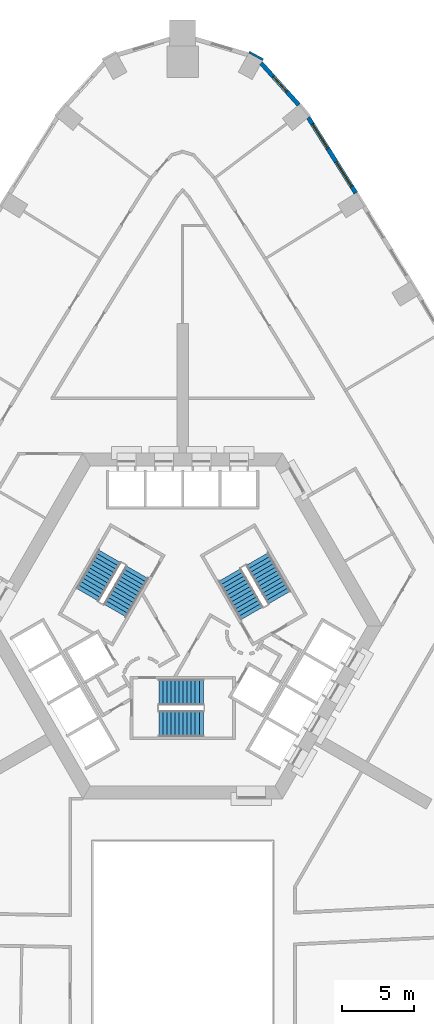
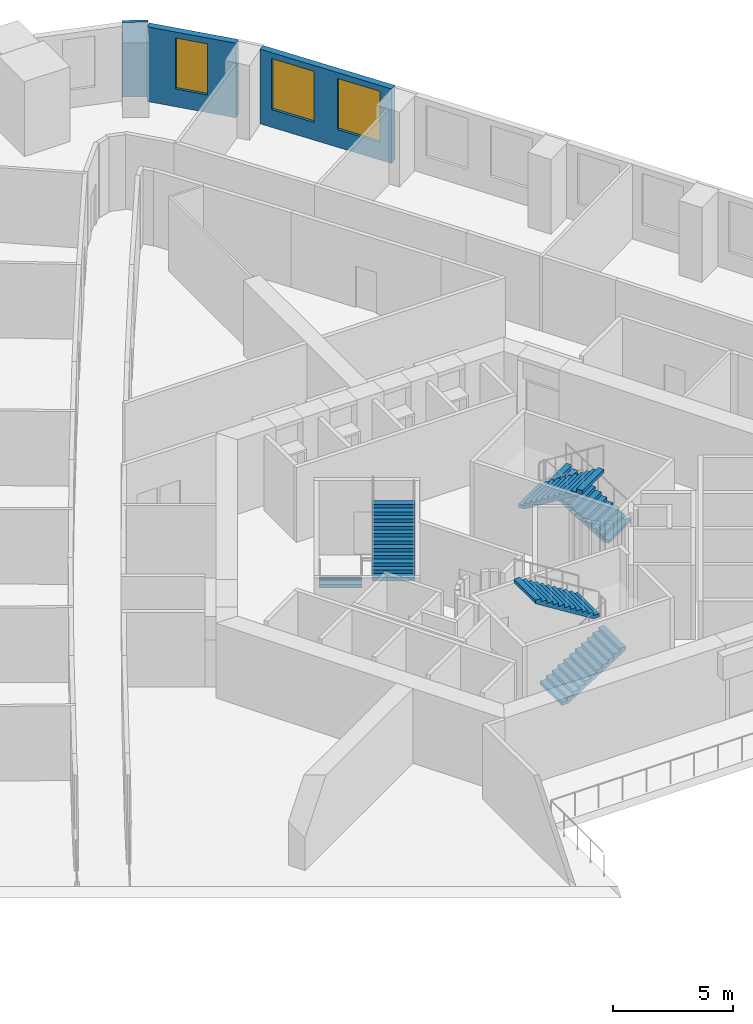
# One storey, part 12 of 14: 6 stair flights, 3 walls, 3 windows, 3 openings, 3 elements without a shape of their own.
"""IFC4 building model written with IfcOpenShell, lengths in metres."""

from ifc_helpers import new_model, si_unit, direction, frame, frame_2d, origin, place, context, subcontext, project, spatial, polyline, rectangle, outline, extrude, material, layer, layer_set, type_object, element, fill, aggregate, save


model = new_model("IFC4")

# Units and contexts
model_context = context("Model", 3, precision=1e-05, world=origin(), true_north=direction((0.0, 1.0)))
body_context = subcontext(model_context, "Body", "Model", "MODEL_VIEW")
ifc_project = project(units=[si_unit("LENGTHUNIT", "METRE"), si_unit("AREAUNIT", "SQUARE_METRE"), si_unit("VOLUMEUNIT", "CUBIC_METRE"), si_unit("PLANEANGLEUNIT", "RADIAN"), si_unit("MASSUNIT", "GRAM", prefix="KILO")], contexts=[model_context])

# Site, building, storey
site_placement = place(None, origin())
site = spatial("IfcSite", under=ifc_project, at=site_placement, CompositionType="ELEMENT")
building_placement = place(site_placement, origin())
building = spatial("IfcBuilding", under=site, at=building_placement, Name="Entoto Arch Interchange Tower", CompositionType="ELEMENT")
storey_placement = place(building_placement, frame((0.0, 0.0, 116.0)))
storey = spatial("IfcBuildingStorey", under=building, at=storey_placement, Name="L25", CompositionType="ELEMENT", Elevation=116.0)

# Wall, openings, windows
ifc_material_1 = material(Name="Welded tuff (ignimbrite) cladding, warm buff", Category="masonry")
ifc_layer_1 = layer(ifc_material_1, 0.300048828125)
ifc_layer_set_1 = layer_set([ifc_layer_1], Name="Welded tuff (ignimbrite) cladding, warm buff")
wall_type_1 = type_object("IfcWallType", Name="STONE INFILL WALL 300", PredefinedType="STANDARD", material=ifc_layer_set_1)
wall_1_placement = place(storey_placement, frame((12.01806640625, 32.534912109375, 0.0), z_axis=(0.0, 0.0, 1.0), x_axis=(-0.532699467907, 0.846304482377, 0.0)))
wall_1 = element("IfcWall", 1, at=wall_1_placement, inside=storey, type_object=wall_type_1, Name="Facade wall NE-08 L25", PredefinedType="STANDARD", context=body_context, shape_type="SweptSolid", body=[
    extrude(rectangle(XDim=6.202392578125, YDim=0.300048828125, at=frame_2d((3.10107421875, 0.0))), origin(), (0.0, 0.0, 1.0), 3.800048828125),
])
opening_1_placement = place(wall_1_placement, frame((0.551025390625, 0.0, 0.89990234375)))
opening_1 = element("IfcOpeningElement", 2, at=opening_1_placement, cuts=wall_1, Name="Opening WO-C", PredefinedType="OPENING", context=body_context, shape_type="SweptSolid", body=[
    extrude(rectangle(XDim=2.0, YDim=2.60009765625, at=frame_2d((1.0, 1.300048828125))), frame((0.0, 0.16015625, 0.0), z_axis=(0.0, -1.0, 0.0), x_axis=(1.0, 0.0, 0.0)), (0.0, 0.0, 1.0), 0.320068359375),
])
opening_2_placement = place(wall_1_placement, frame((3.652099609375, 0.0, 0.89990234375)))
opening_2 = element("IfcOpeningElement", 3, at=opening_2_placement, cuts=wall_1, Name="Opening WO-C", PredefinedType="OPENING", context=body_context, shape_type="SweptSolid", body=[
    extrude(rectangle(XDim=2.0, YDim=2.60009765625, at=frame_2d((1.0, 1.300048828125))), frame((0.0, 0.16015625, 0.0), z_axis=(0.0, -1.0, 0.0), x_axis=(1.0, 0.0, 0.0)), (0.0, 0.0, 1.0), 0.320068359375),
])
ifc_material_2 = material(Name="Clear glass, low-e double glazed", Category="glass")
window_type_1 = type_object("IfcWindowType", Name="WINDOW WO-C 2000x2600", PartitioningType="DOUBLE_PANEL_VERTICAL", PredefinedType="WINDOW", material=ifc_material_2)
window_1_placement = place(opening_1_placement, origin())
window_1 = element("IfcWindow", 4, at=window_1_placement, inside=storey, type_object=window_type_1, Name="Window WO-C NE-08 L25", OverallHeight=2.60009765625, OverallWidth=2.0, PartitioningType="SINGLE_PANEL", PredefinedType="WINDOW", context=body_context, shape_type="SweptSolid", body=[
    extrude(rectangle(XDim=2.0, YDim=2.60009765625, at=frame_2d((1.0, 1.300048828125))), frame((0.0, 0.030029296875, 0.0), z_axis=(0.0, -1.0, 0.0), x_axis=(1.0, 0.0, 0.0)), (0.0, 0.0, 1.0), 0.06005859375),
])
fill(opening_1, window_1)
window_2_placement = place(opening_2_placement, origin())
window_2 = element("IfcWindow", 5, at=window_2_placement, inside=storey, type_object=window_type_1, Name="Window WO-C NE-08 L25", OverallHeight=2.60009765625, OverallWidth=2.0, PartitioningType="SINGLE_PANEL", PredefinedType="WINDOW", context=body_context, shape_type="SweptSolid", body=[
    extrude(rectangle(XDim=2.0, YDim=2.60009765625, at=frame_2d((1.0, 1.300048828125))), frame((0.0, 0.030029296875, 0.0), z_axis=(0.0, -1.0, 0.0), x_axis=(1.0, 0.0, 0.0)), (0.0, 0.0, 1.0), 0.06005859375),
])
fill(opening_2, window_2)

# Wall, opening, window
wall_2_placement = place(storey_placement, frame((8.052001953125, 38.660888671875, 0.0), z_axis=(0.0, 0.0, 1.0), x_axis=(-0.66966434159, 0.742663900834, 0.0)))
wall_2 = element("IfcWall", 6, at=wall_2_placement, inside=storey, type_object=wall_type_1, Name="Facade wall N-01 L25", PredefinedType="STANDARD", context=body_context, shape_type="SweptSolid", body=[
    extrude(rectangle(XDim=3.892822265625, YDim=0.300048828125, at=frame_2d((1.9462890625, 0.0))), origin(), (0.0, 0.0, 1.0), 3.800048828125),
])
opening_3_placement = place(wall_2_placement, frame((1.24609375, 0.0, 0.89990234375)))
opening_3 = element("IfcOpeningElement", 7, at=opening_3_placement, cuts=wall_2, Name="Opening WO-B", PredefinedType="OPENING", context=body_context, shape_type="SweptSolid", body=[
    extrude(rectangle(XDim=1.39990234375, YDim=2.60009765625, at=frame_2d((0.699951171875, 1.300048828125))), frame((0.0, 0.16015625, 0.0), z_axis=(0.0, -1.0, 0.0), x_axis=(1.0, 0.0, 0.0)), (0.0, 0.0, 1.0), 0.320068359375),
])
window_type_2 = type_object("IfcWindowType", Name="WINDOW WO-B 1400x2600", PartitioningType="DOUBLE_PANEL_VERTICAL", PredefinedType="WINDOW", material=ifc_material_2)
window_3_placement = place(opening_3_placement, origin())
window_3 = element("IfcWindow", 8, at=window_3_placement, inside=storey, type_object=window_type_2, Name="Window WO-B N-01 L25", OverallHeight=2.60009765625, OverallWidth=1.39990234375, PartitioningType="SINGLE_PANEL", PredefinedType="WINDOW", context=body_context, shape_type="SweptSolid", body=[
    extrude(rectangle(XDim=1.39990234375, YDim=2.60009765625, at=frame_2d((0.699951171875, 1.300048828125))), frame((0.0, 0.030029296875, 0.0), z_axis=(0.0, -1.0, 0.0), x_axis=(1.0, 0.0, 0.0)), (0.0, 0.0, 1.0), 0.06005859375),
])
fill(opening_3, window_3)

# Wall
ifc_layer_2 = layer(ifc_material_1, 0.14990234375)
ifc_layer_set_2 = layer_set([ifc_layer_2], Name="Welded tuff (ignimbrite) cladding, warm buff")
wall_type_2 = type_object("IfcWallType", Name="STONE PIER CLADDING 150", PredefinedType="STANDARD", material=ifc_layer_set_2)
wall_3_placement = place(storey_placement, frame((5.5791015625, 41.7939453125, 0.0), z_axis=(0.0, 0.0, 1.0), x_axis=(-0.877463015547, 0.479644301902, 0.0)))
element("IfcWall", 9, at=wall_3_placement, inside=storey, type_object=wall_type_2, Name="Stone pier N1 L25", PredefinedType="STANDARD", context=body_context, shape_type="SweptSolid", body=[
    extrude(rectangle(XDim=1.10107421875, YDim=0.14990234375, at=frame_2d((0.550537109375, 0.0))), origin(), (0.0, 0.0, 1.0), 3.800048828125),
])

# Stair, stair flights
ifc_material_3 = material(Name="Concrete C40/50", Category="concrete")
stair_type = type_object("IfcStairType", Name="EXIT STAIR RC 1800", PredefinedType="HALF_TURN_STAIR", material=ifc_material_3)
stair_1_placement = place(storey_placement, origin())
stair_1 = element("IfcStair", 10, at=stair_1_placement, inside=storey, type_object=stair_type, Name="L25 Exit stair S", PredefinedType="HALF_TURN_STAIR")
stair_flight_type = type_object("IfcStairFlightType", Name="EXIT STAIR FLIGHT RC 1800", PredefinedType="STRAIGHT", material=ifc_material_3)
stair_flight_1_placement = place(storey_placement, frame((-1.64990234375, -4.300048828125, 0.0), z_axis=(0.0, 0.0, 1.0), x_axis=(1.0, 0.0, 0.0)))
stair_flight_1 = element("IfcStairFlight", 11, at=stair_flight_1_placement, type_object=stair_flight_type, Name="ST-S flight 1", NumberOfRisers=12, NumberOfTreads=11, PredefinedType="STRAIGHT", RiserHeight=0.175, TreadLength=0.28, context=body_context, shape_type="SweptSolid", body=[
    extrude(outline(polyline([(-0.0029296875, 0.0), (-0.0029296875, 0.175048828125), (0.280029296875, 0.175048828125), (0.280029296875, 0.35009765625), (0.56005859375, 0.35009765625), (0.56005859375, 0.52490234375), (0.840087890625, 0.52490234375), (0.840087890625, 0.699951171875), (1.1201171875, 0.699951171875), (1.1201171875, 0.875), (1.39990234375, 0.875), (1.39990234375, 1.050048828125), (1.679931640625, 1.050048828125), (1.679931640625, 1.22509765625), (1.9599609375, 1.22509765625), (1.9599609375, 1.39990234375), (2.239990234375, 1.39990234375), (2.239990234375, 1.574951171875), (2.52001953125, 1.574951171875), (2.52001953125, 1.75), (2.800048828125, 1.75), (2.800048828125, 1.925048828125), (3.080078125, 1.925048828125), (3.0830078125, 1.925048828125), (3.0830078125, 1.75), (0.28271484375, 0.0), (-0.0029296875, 0.0)])), frame((0.0, 0.89990234375, 0.0), z_axis=(0.0, -1.0, 0.0), x_axis=(1.0, 0.0, 0.0)), (0.0, 0.0, 1.0), 1.800048828125),
])
stair_flight_2_placement = place(storey_placement, frame((1.429931640625, -2.10009765625, 2.10009765625), z_axis=(0.0, 0.0, 1.0), x_axis=(-1.0, 0.0, 0.0)))
stair_flight_2 = element("IfcStairFlight", 12, at=stair_flight_2_placement, type_object=stair_flight_type, Name="ST-S flight 2", NumberOfRisers=12, NumberOfTreads=11, PredefinedType="STRAIGHT", RiserHeight=0.175, TreadLength=0.28, context=body_context, shape_type="SweptSolid", body=[
    extrude(outline(polyline([(-0.0029296875, 0.0), (-0.0029296875, 0.175048828125), (0.280029296875, 0.175048828125), (0.280029296875, 0.35009765625), (0.56005859375, 0.35009765625), (0.56005859375, 0.52490234375), (0.840087890625, 0.52490234375), (0.840087890625, 0.699951171875), (1.1201171875, 0.699951171875), (1.1201171875, 0.875), (1.39990234375, 0.875), (1.39990234375, 1.050048828125), (1.679931640625, 1.050048828125), (1.679931640625, 1.22509765625), (1.9599609375, 1.22509765625), (1.9599609375, 1.39990234375), (2.239990234375, 1.39990234375), (2.239990234375, 1.574951171875), (2.52001953125, 1.574951171875), (2.52001953125, 1.75), (2.800048828125, 1.75), (2.800048828125, 1.925048828125), (3.080078125, 1.925048828125), (3.0830078125, 1.925048828125), (3.0830078125, 1.75), (0.28271484375, 0.0), (-0.0029296875, 0.0)])), frame((0.0, 0.89990234375, 0.0), z_axis=(0.0, -1.0, 0.0), x_axis=(1.0, 0.0, 0.0)), (0.0, 0.0, 1.0), 1.800048828125),
])
aggregate(stair_1, [stair_flight_1, stair_flight_2])

stair_2_placement = place(storey_placement, origin())
stair_2 = element("IfcStair", 13, at=stair_2_placement, inside=storey, type_object=stair_type, Name="L25 Exit stair NE", PredefinedType="HALF_TURN_STAIR")
stair_flight_3_placement = place(storey_placement, frame((6.7138671875, 4.470947265625, 0.0), z_axis=(0.0, 0.0, 1.0), x_axis=(-0.5, 0.866025403784, 0.0)))
stair_flight_3 = element("IfcStairFlight", 14, at=stair_flight_3_placement, type_object=stair_flight_type, Name="ST-NE flight 1", NumberOfRisers=12, NumberOfTreads=11, PredefinedType="STRAIGHT", RiserHeight=0.175, TreadLength=0.28, context=body_context, shape_type="SweptSolid", body=[
    extrude(outline(polyline([(-0.0029296875, 0.0), (-0.0029296875, 0.175048828125), (0.280029296875, 0.175048828125), (0.280029296875, 0.35009765625), (0.56005859375, 0.35009765625), (0.56005859375, 0.52490234375), (0.840087890625, 0.52490234375), (0.840087890625, 0.699951171875), (1.1201171875, 0.699951171875), (1.1201171875, 0.875), (1.39990234375, 0.875), (1.39990234375, 1.050048828125), (1.679931640625, 1.050048828125), (1.679931640625, 1.22509765625), (1.9599609375, 1.22509765625), (1.9599609375, 1.39990234375), (2.239990234375, 1.39990234375), (2.239990234375, 1.574951171875), (2.52001953125, 1.574951171875), (2.52001953125, 1.75), (2.800048828125, 1.75), (2.800048828125, 1.925048828125), (3.080078125, 1.925048828125), (3.0830078125, 1.925048828125), (3.0830078125, 1.75), (0.28271484375, 0.0), (-0.0029296875, 0.0)])), frame((0.0, 0.89990234375, 0.0), z_axis=(0.0, -1.0, 0.0), x_axis=(1.0, 0.0, 0.0)), (0.0, 0.0, 1.0), 1.800048828125),
])
stair_flight_4_placement = place(storey_placement, frame((3.268798828125, 6.038330078125, 2.10009765625), z_axis=(0.0, 0.0, 1.0), x_axis=(0.5, -0.866025403784, 0.0)))
stair_flight_4 = element("IfcStairFlight", 15, at=stair_flight_4_placement, type_object=stair_flight_type, Name="ST-NE flight 2", NumberOfRisers=12, NumberOfTreads=11, PredefinedType="STRAIGHT", RiserHeight=0.175, TreadLength=0.28, context=body_context, shape_type="SweptSolid", body=[
    extrude(outline(polyline([(-0.0029296875, 0.0), (-0.0029296875, 0.175048828125), (0.280029296875, 0.175048828125), (0.280029296875, 0.35009765625), (0.56005859375, 0.35009765625), (0.56005859375, 0.52490234375), (0.840087890625, 0.52490234375), (0.840087890625, 0.699951171875), (1.1201171875, 0.699951171875), (1.1201171875, 0.875), (1.39990234375, 0.875), (1.39990234375, 1.050048828125), (1.679931640625, 1.050048828125), (1.679931640625, 1.22509765625), (1.9599609375, 1.22509765625), (1.9599609375, 1.39990234375), (2.239990234375, 1.39990234375), (2.239990234375, 1.574951171875), (2.52001953125, 1.574951171875), (2.52001953125, 1.75), (2.800048828125, 1.75), (2.800048828125, 1.925048828125), (3.080078125, 1.925048828125), (3.0830078125, 1.925048828125), (3.0830078125, 1.75), (0.28271484375, 0.0), (-0.0029296875, 0.0)])), frame((0.0, 0.89990234375, 0.0), z_axis=(0.0, -1.0, 0.0), x_axis=(1.0, 0.0, 0.0)), (0.0, 0.0, 1.0), 1.800048828125),
])
aggregate(stair_2, [stair_flight_3, stair_flight_4])

stair_3_placement = place(storey_placement, origin())
stair_3 = element("IfcStair", 16, at=stair_3_placement, inside=storey, type_object=stair_type, Name="L25 Exit stair NW", PredefinedType="HALF_TURN_STAIR")
stair_flight_5_placement = place(storey_placement, frame((-5.06396484375, 7.328857421875, 0.0), z_axis=(0.0, 0.0, 1.0), x_axis=(-0.5, -0.866025403784, 0.0)))
stair_flight_5 = element("IfcStairFlight", 17, at=stair_flight_5_placement, type_object=stair_flight_type, Name="ST-NW flight 1", NumberOfRisers=12, NumberOfTreads=11, PredefinedType="STRAIGHT", RiserHeight=0.175, TreadLength=0.28, context=body_context, shape_type="SweptSolid", body=[
    extrude(outline(polyline([(-0.0029296875, 0.0), (-0.0029296875, 0.175048828125), (0.280029296875, 0.175048828125), (0.280029296875, 0.35009765625), (0.56005859375, 0.35009765625), (0.56005859375, 0.52490234375), (0.840087890625, 0.52490234375), (0.840087890625, 0.699951171875), (1.1201171875, 0.699951171875), (1.1201171875, 0.875), (1.39990234375, 0.875), (1.39990234375, 1.050048828125), (1.679931640625, 1.050048828125), (1.679931640625, 1.22509765625), (1.9599609375, 1.22509765625), (1.9599609375, 1.39990234375), (2.239990234375, 1.39990234375), (2.239990234375, 1.574951171875), (2.52001953125, 1.574951171875), (2.52001953125, 1.75), (2.800048828125, 1.75), (2.800048828125, 1.925048828125), (3.080078125, 1.925048828125), (3.0830078125, 1.925048828125), (3.0830078125, 1.75), (0.28271484375, 0.0), (-0.0029296875, 0.0)])), frame((0.0, 0.89990234375, 0.0), z_axis=(0.0, -1.0, 0.0), x_axis=(1.0, 0.0, 0.0)), (0.0, 0.0, 1.0), 1.800048828125),
])
stair_flight_6_placement = place(storey_placement, frame((-4.69873046875, 3.5615234375, 2.10009765625), z_axis=(0.0, 0.0, 1.0), x_axis=(0.5, 0.866025403784, 0.0)))
stair_flight_6 = element("IfcStairFlight", 18, at=stair_flight_6_placement, type_object=stair_flight_type, Name="ST-NW flight 2", NumberOfRisers=12, NumberOfTreads=11, PredefinedType="STRAIGHT", RiserHeight=0.175, TreadLength=0.28, context=body_context, shape_type="SweptSolid", body=[
    extrude(outline(polyline([(-0.0029296875, 0.0), (-0.0029296875, 0.175048828125), (0.280029296875, 0.175048828125), (0.280029296875, 0.35009765625), (0.56005859375, 0.35009765625), (0.56005859375, 0.52490234375), (0.840087890625, 0.52490234375), (0.840087890625, 0.699951171875), (1.1201171875, 0.699951171875), (1.1201171875, 0.875), (1.39990234375, 0.875), (1.39990234375, 1.050048828125), (1.679931640625, 1.050048828125), (1.679931640625, 1.22509765625), (1.9599609375, 1.22509765625), (1.9599609375, 1.39990234375), (2.239990234375, 1.39990234375), (2.239990234375, 1.574951171875), (2.52001953125, 1.574951171875), (2.52001953125, 1.75), (2.800048828125, 1.75), (2.800048828125, 1.925048828125), (3.080078125, 1.925048828125), (3.0830078125, 1.925048828125), (3.0830078125, 1.75), (0.28271484375, 0.0), (-0.0029296875, 0.0)])), frame((0.0, 0.89990234375, 0.0), z_axis=(0.0, -1.0, 0.0), x_axis=(1.0, 0.0, 0.0)), (0.0, 0.0, 1.0), 1.800048828125),
])
aggregate(stair_3, [stair_flight_5, stair_flight_6])

save(model, "model.ifc")
